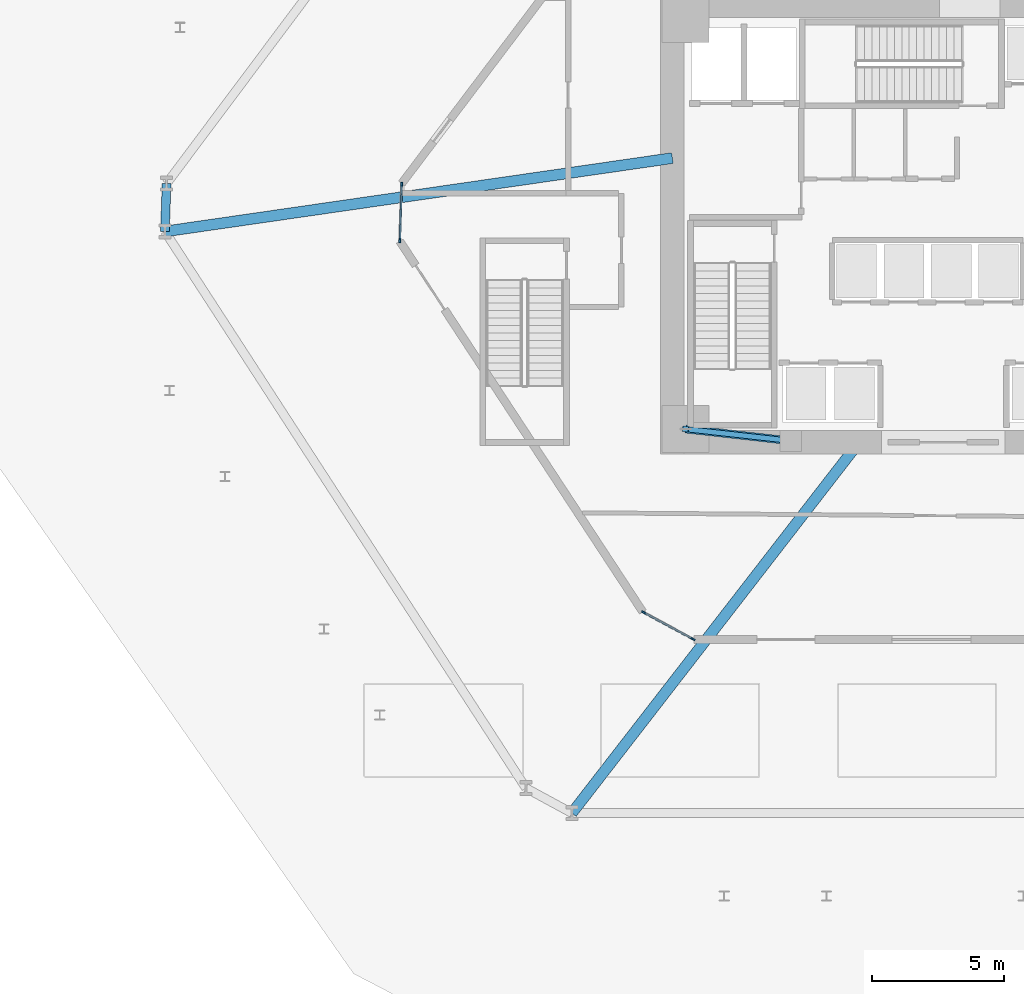
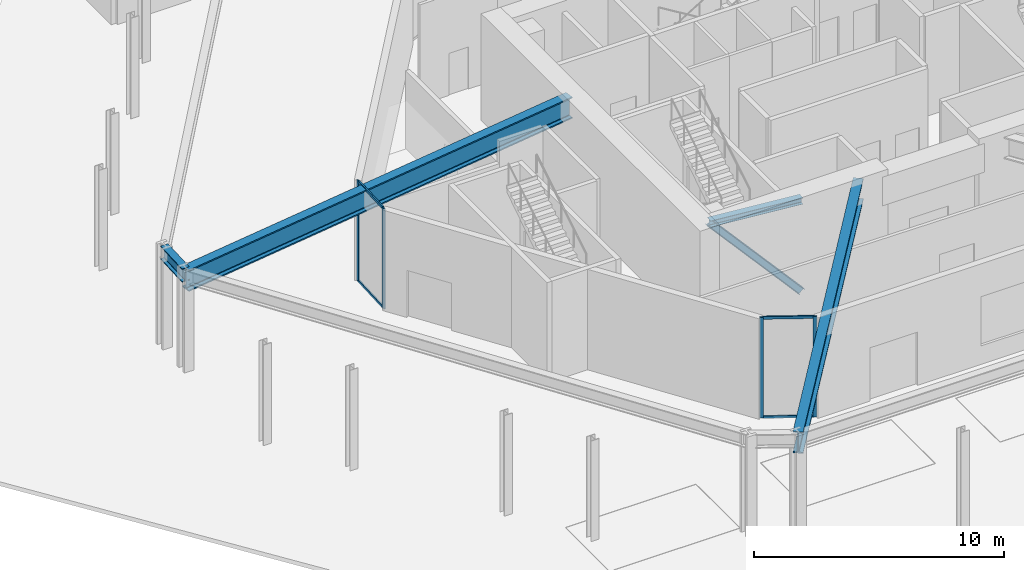
# One storey, part 6 of 18: 9 members, 4 beams, 2 elements without a shape of their own.
"""IFC4 building model written with IfcOpenShell, lengths in metres."""

from ifc_helpers import new_model, si_unit, direction, frame, origin, origin_2d, place, context, subcontext, project, spatial, rectangle, i_section, extrude, source, transform, mapped, material, layer, layer_set, material_profile, profile_set, type_object, type_shapes, element, aggregate, save


model = new_model("IFC4")

# Units and contexts
model_context = context("Model", 3, precision=1e-05, world=origin(), true_north=direction((0.0, 1.0)))
body_context = subcontext(model_context, "Body", "Model", "MODEL_VIEW")
ifc_project = project(units=[si_unit("LENGTHUNIT", "METRE"), si_unit("AREAUNIT", "SQUARE_METRE"), si_unit("VOLUMEUNIT", "CUBIC_METRE"), si_unit("PLANEANGLEUNIT", "RADIAN"), si_unit("MASSUNIT", "GRAM", prefix="KILO")], contexts=[model_context])

# Site, building, storey
site_placement = place(None, origin())
site = spatial("IfcSite", under=ifc_project, at=site_placement, CompositionType="ELEMENT")
building_placement = place(site_placement, origin())
building = spatial("IfcBuilding", under=site, at=building_placement, Name="Durnholm Broadcast Tower", CompositionType="ELEMENT")
storey_placement = place(building_placement, origin())
storey = spatial("IfcBuildingStorey", under=building, at=storey_placement, Name="L00", CompositionType="ELEMENT", Elevation=0.0)

# Beams
ifc_material_1 = material(Name="Steel ASTM A992 Grade 50", Category="steel")
ifc_material_profile_1 = material_profile(ifc_material_1, i_section(OverallWidth=0.3330078125, OverallDepth=0.660888671875, WebThickness=0.0244140625, FlangeThickness=0.0439453125, FilletRadius=0.02783203125, at=origin_2d()), Name="W24X229")
ifc_profile_set_1 = profile_set([ifc_material_profile_1], Name="Steel ASTM A992 Grade 50")
beam_type_1 = type_object("IfcBeamType", Name="STL-SP-W24X229", PredefinedType="SPANDREL", material=ifc_profile_set_1)
shared_shape_1 = source(origin(), body_context, "Body", "SweptSolid", [
    extrude(i_section(OverallWidth=0.3330078125, OverallDepth=0.660888671875, WebThickness=0.0244140625, FlangeThickness=0.0439453125, FilletRadius=0.02783203125, at=origin_2d()), origin(), (0.0, 0.0, 1.0), 1.820068359375),
])
type_shapes(beam_type_1, [shared_shape_1])
beam_1_placement = place(storey_placement, frame((-29.590576171875, -0.28857421875, 4.5546875), z_axis=(0.033667655889, 0.999433083776, 0.0), x_axis=(-0.999433083776, 0.033667655889, 0.0)))
element("IfcBeam", 1, at=beam_1_placement, inside=storey, type_object=beam_type_1, Name="L00 perimeter spandrel girder 02", PredefinedType="SPANDREL", context=body_context, shape_type="MappedRepresentation", body=[
    mapped(shared_shape_1, transform((0.0, 0.0, 0.0), x_axis=(1.0, 0.0, 0.0), y_axis=(0.0, 1.0, 0.0), z_axis=(0.0, 0.0, 1.0), scale=1.0)),
])
ifc_material_profile_2 = material_profile(ifc_material_1, i_section(OverallWidth=0.3046875, OverallDepth=0.307861328125, WebThickness=0.010009765625, FlangeThickness=0.015380859375, FilletRadius=0.019287109375, at=origin_2d()), Name="W12X65")
ifc_profile_set_2 = profile_set([ifc_material_profile_2], Name="Steel ASTM A992 Grade 50")
beam_type_2 = type_object("IfcBeamType", Name="STL-BL-W12X65", PredefinedType="LINTEL", material=ifc_profile_set_2)
shared_shape_2 = source(origin(), body_context, "Body", "SweptSolid", [
    extrude(i_section(OverallWidth=0.3046875, OverallDepth=0.307861328125, WebThickness=0.010009765625, FlangeThickness=0.015380859375, FilletRadius=0.019287109375, at=origin_2d()), origin(), (0.0, 0.0, 1.0), 4.025146484375),
])
type_shapes(beam_type_2, [shared_shape_2])
beam_2_placement = place(storey_placement, frame((-5.800048828125, -8.25, 4.731201171875), z_axis=(-0.993732663715, 0.111782794142, 0.0), x_axis=(-0.111782794142, -0.993732663715, 0.0)))
element("IfcBeam", 2, at=beam_2_placement, inside=storey, type_object=beam_type_2, Name="L00 west pilaster tie lintel", PredefinedType="LINTEL", context=body_context, shape_type="MappedRepresentation", body=[
    mapped(shared_shape_2, transform((0.0, 0.0, 0.0), x_axis=(1.0, 0.0, 0.0), y_axis=(0.0, 1.0, 0.0), z_axis=(0.0, 0.0, 1.0), scale=1.0)),
])
ifc_material_profile_3 = material_profile(ifc_material_1, i_section(OverallWidth=0.412109375, OverallDepth=1.048095703125, WebThickness=0.033935546875, FlangeThickness=0.059814453125, FilletRadius=0.04052734375, at=origin_2d()), Name="W40X431")
ifc_profile_set_3 = profile_set([ifc_material_profile_3], Name="Steel ASTM A992 Grade 50")
beam_type_3 = type_object("IfcBeamType", Name="STL-TG-W40X431", PredefinedType="USERDEFINED", material=ifc_profile_set_3)
shared_shape_3 = source(origin(), body_context, "Body", "SweptSolid", [
    extrude(i_section(OverallWidth=0.412109375, OverallDepth=1.048095703125, WebThickness=0.033935546875, FlangeThickness=0.059814453125, FilletRadius=0.04052734375, at=origin_2d()), origin(), (0.0, 0.0, 1.0), 19.490966796875),
])
beam_3_placement = place(storey_placement, frame((-10.300048828125, 2.5, 4.361083984375), z_axis=(-0.989712636446, -0.143069553921, 0.0), x_axis=(0.143069553921, -0.989712636446, 0.0)))
element("IfcBeam", 3, at=beam_3_placement, inside=storey, type_object=beam_type_3, Name="L00 radial primary floor girder 02", ObjectType="GIRDER", PredefinedType="USERDEFINED", context=body_context, shape_type="MappedRepresentation", body=[
    mapped(shared_shape_3, transform((0.0, 0.0, 0.0), x_axis=(1.0, 0.0, 0.0), y_axis=(0.0, 1.0, 0.0), z_axis=(0.0, 0.0, 1.0), scale=1.0)),
])
shared_shape_4 = source(origin(), body_context, "Body", "SweptSolid", [
    extrude(i_section(OverallWidth=0.412109375, OverallDepth=1.048095703125, WebThickness=0.033935546875, FlangeThickness=0.059814453125, FilletRadius=0.04052734375, at=origin_2d()), origin(), (0.0, 0.0, 1.0), 17.833740234375),
])
type_shapes(beam_type_3, [shared_shape_3, shared_shape_4])
beam_4_placement = place(storey_placement, frame((-3.199951171875, -8.300048828125, 4.361083984375), z_axis=(-0.612293019064, -0.790630924519, 0.0), x_axis=(0.790630924519, -0.612293019064, 0.0)))
element("IfcBeam", 4, at=beam_4_placement, inside=storey, type_object=beam_type_3, Name="L00 radial primary floor girder 12", ObjectType="GIRDER", PredefinedType="USERDEFINED", context=body_context, shape_type="MappedRepresentation", body=[
    mapped(shared_shape_4, transform((0.0, 0.0, 0.0), x_axis=(1.0, 0.0, 0.0), y_axis=(0.0, 1.0, 0.0), z_axis=(0.0, 0.0, 1.0), scale=1.0)),
])

# Member
ifc_material_profile_4 = material_profile(ifc_material_1, i_section(OverallWidth=0.205078125, OverallDepth=0.3095703125, WebThickness=0.009521484375, FlangeThickness=0.016357421875, FilletRadius=0.019287109375, at=origin_2d()), Name="W12X50")
ifc_profile_set_4 = profile_set([ifc_material_profile_4], Name="Steel ASTM A992 Grade 50")
member_type_1 = type_object("IfcMemberType", Name="STL-STG-W12X50", PredefinedType="STRINGER", material=ifc_profile_set_4)
shared_shape_5 = source(origin(), body_context, "Body", "SweptSolid", [
    extrude(i_section(OverallWidth=0.205078125, OverallDepth=0.3095703125, WebThickness=0.009521484375, FlangeThickness=0.016357421875, FilletRadius=0.019287109375, at=origin_2d()), origin(), (0.0, 0.0, 1.0), 6.023681640625),
])
type_shapes(member_type_1, [shared_shape_5])
member_1_placement = place(storey_placement, frame((-5.800048828125, -8.25, 0.25), z_axis=(-0.664055971414, 0.074698190632, 0.743942099323), x_axis=(-0.111782794142, -0.993732663715, 0.0)))
element("IfcMember", 5, at=member_1_placement, inside=storey, type_object=member_type_1, Name="L00 core gallery steel stringer brace", PredefinedType="STRINGER", context=body_context, shape_type="MappedRepresentation", body=[
    mapped(shared_shape_5, transform((0.0, 0.0, 0.0), x_axis=(1.0, 0.0, 0.0), y_axis=(0.0, 1.0, 0.0), z_axis=(0.0, 0.0, 1.0), scale=1.0)),
])

# Curtain wall, members
ifc_material_2 = material(Name="Aluminium and Solar Control IGU", Category="aluminium")
ifc_layer = layer(ifc_material_2, 0.1650390625)
ifc_layer_set = layer_set([ifc_layer], Name="Aluminium and Solar Control IGU")
curtain_wall_type = type_object("IfcCurtainWallType", Name="CW-SYS-5", PredefinedType="NOTDEFINED", material=ifc_layer_set)
curtain_wall_1_placement = place(storey_placement, origin())
curtain_wall_1 = element("IfcCurtainWall", 6, at=curtain_wall_1_placement, inside=storey, type_object=curtain_wall_type, Name="L00 curtain wall CW-CORNER CW-L00-CRN-01", PredefinedType="NOTDEFINED")
ifc_material_3 = material(Name="Aluminium 6063-T6", Category="aluminium")
ifc_material_profile_5 = material_profile(ifc_material_3, rectangle(XDim=0.06494140625, YDim=0.1650390625, at=origin_2d()), Name="CWM65X165")
ifc_profile_set_5 = profile_set([ifc_material_profile_5], Name="Aluminium 6063-T6")
member_type_2 = type_object("IfcMemberType", Name="CW-SYS-5-MUL", PredefinedType="MULLION", material=ifc_profile_set_5)
shared_shape_6 = source(origin(), body_context, "Body", "SweptSolid", [
    extrude(rectangle(XDim=0.06494140625, YDim=0.1650390625, at=origin_2d()), origin(), (0.0, 0.0, 1.0), 4.89990234375),
])
type_shapes(member_type_2, [shared_shape_6])
member_2_placement = place(storey_placement, frame((-20.6611328125, -0.62841796875, 0.0), z_axis=(0.0, 0.0, 1.0), x_axis=(-0.999440256039, 0.033454067148, 0.0)))
member_2 = element("IfcMember", 7, at=member_2_placement, type_object=member_type_2, Name="CW-CORNER mullion 1", PredefinedType="MULLION", context=body_context, shape_type="MappedRepresentation", body=[
    mapped(shared_shape_6, transform((0.0, 0.0, 0.0), x_axis=(1.0, 0.0, 0.0), y_axis=(0.0, 1.0, 0.0), z_axis=(0.0, 0.0, 1.0), scale=1.0)),
])
member_3_placement = place(storey_placement, frame((-20.589599609375, 1.50537109375, 0.0), z_axis=(0.0, 0.0, 1.0), x_axis=(-0.999440256039, 0.033454067148, 0.0)))
member_3 = element("IfcMember", 8, at=member_3_placement, type_object=member_type_2, Name="CW-CORNER mullion 2", PredefinedType="MULLION", context=body_context, shape_type="MappedRepresentation", body=[
    mapped(shared_shape_6, transform((0.0, 0.0, 0.0), x_axis=(1.0, 0.0, 0.0), y_axis=(0.0, 1.0, 0.0), z_axis=(0.0, 0.0, 1.0), scale=1.0)),
])

curtain_wall_2_placement = place(storey_placement, origin())
curtain_wall_2 = element("IfcCurtainWall", 9, at=curtain_wall_2_placement, inside=storey, type_object=curtain_wall_type, Name="L00 curtain wall CW-CORNER CW-L00-CRN-11", PredefinedType="NOTDEFINED")
member_4_placement = place(storey_placement, frame((-9.514892578125, -15.78466796875, 0.0), z_axis=(0.0, 0.0, 1.0), x_axis=(-0.475227040022, -0.879863205522, 0.0)))
member_4 = element("IfcMember", 10, at=member_4_placement, type_object=member_type_2, Name="CW-CORNER mullion 1", PredefinedType="MULLION", context=body_context, shape_type="MappedRepresentation", body=[
    mapped(shared_shape_6, transform((0.0, 0.0, 0.0), x_axis=(1.0, 0.0, 0.0), y_axis=(0.0, 1.0, 0.0), z_axis=(0.0, 0.0, 1.0), scale=1.0)),
])
member_5_placement = place(storey_placement, frame((-11.393310546875, -14.77001953125, 0.0), z_axis=(0.0, 0.0, 1.0), x_axis=(-0.475227040022, -0.879863205522, 0.0)))
member_5 = element("IfcMember", 11, at=member_5_placement, type_object=member_type_2, Name="CW-CORNER mullion 2", PredefinedType="MULLION", context=body_context, shape_type="MappedRepresentation", body=[
    mapped(shared_shape_6, transform((0.0, 0.0, 0.0), x_axis=(1.0, 0.0, 0.0), y_axis=(0.0, 1.0, 0.0), z_axis=(0.0, 0.0, 1.0), scale=1.0)),
])

# Member
ifc_material_profile_6 = material_profile(ifc_material_3, rectangle(XDim=0.06494140625, YDim=0.1298828125, at=origin_2d()), Name="CWT65X130")
ifc_profile_set_6 = profile_set([ifc_material_profile_6], Name="Aluminium 6063-T6")
member_type_3 = type_object("IfcMemberType", Name="CW-SYS-5-TRN", PredefinedType="USERDEFINED", material=ifc_profile_set_6)
shared_shape_7 = source(origin(), body_context, "Body", "SweptSolid", [
    extrude(rectangle(XDim=0.06494140625, YDim=0.1298828125, at=origin_2d()), origin(), (0.0, 0.0, 1.0), 2.070068359375),
])
member_6_placement = place(storey_placement, frame((-20.659912109375, -0.595947265625, 0.032470703125), z_axis=(0.033377662898, 0.99944281058, 0.0), x_axis=(-0.99944281058, 0.033377662898, 0.0)))
member_6 = element("IfcMember", 12, at=member_6_placement, type_object=member_type_3, Name="CW-CORNER transom 1.1", ObjectType="TRANSOM", PredefinedType="USERDEFINED", context=body_context, shape_type="MappedRepresentation", body=[
    mapped(shared_shape_7, transform((0.0, 0.0, 0.0), x_axis=(1.0, 0.0, 0.0), y_axis=(0.0, 1.0, 0.0), z_axis=(0.0, 0.0, 1.0), scale=1.0)),
])

member_7_placement = place(storey_placement, frame((-20.659912109375, -0.595947265625, 4.867431640625), z_axis=(0.033377662898, 0.99944281058, 0.0), x_axis=(-0.99944281058, 0.033377662898, 0.0)))
member_7 = element("IfcMember", 13, at=member_7_placement, type_object=member_type_3, Name="CW-CORNER transom 1.2", ObjectType="TRANSOM", PredefinedType="USERDEFINED", context=body_context, shape_type="MappedRepresentation", body=[
    mapped(shared_shape_7, transform((0.0, 0.0, 0.0), x_axis=(1.0, 0.0, 0.0), y_axis=(0.0, 1.0, 0.0), z_axis=(0.0, 0.0, 1.0), scale=1.0)),
])

aggregate(curtain_wall_1, [member_2, member_3, member_6, member_7])

shared_shape_8 = source(origin(), body_context, "Body", "SweptSolid", [
    extrude(rectangle(XDim=0.06494140625, YDim=0.1298828125, at=origin_2d()), origin(), (0.0, 0.0, 1.0), 2.06982421875),
])
type_shapes(member_type_3, [shared_shape_7, shared_shape_8])
member_8_placement = place(storey_placement, frame((-9.54345703125, -15.76904296875, 0.032470703125), z_axis=(-0.879875809047, 0.475203704377, 0.0), x_axis=(-0.475203704377, -0.879875809047, 0.0)))
member_8 = element("IfcMember", 14, at=member_8_placement, type_object=member_type_3, Name="CW-CORNER transom 1.1", ObjectType="TRANSOM", PredefinedType="USERDEFINED", context=body_context, shape_type="MappedRepresentation", body=[
    mapped(shared_shape_8, transform((0.0, 0.0, 0.0), x_axis=(1.0, 0.0, 0.0), y_axis=(0.0, 1.0, 0.0), z_axis=(0.0, 0.0, 1.0), scale=1.0)),
])

member_9_placement = place(storey_placement, frame((-9.54345703125, -15.76904296875, 4.867431640625), z_axis=(-0.879875809047, 0.475203704377, 0.0), x_axis=(-0.475203704377, -0.879875809047, 0.0)))
member_9 = element("IfcMember", 15, at=member_9_placement, type_object=member_type_3, Name="CW-CORNER transom 1.2", ObjectType="TRANSOM", PredefinedType="USERDEFINED", context=body_context, shape_type="MappedRepresentation", body=[
    mapped(shared_shape_8, transform((0.0, 0.0, 0.0), x_axis=(1.0, 0.0, 0.0), y_axis=(0.0, 1.0, 0.0), z_axis=(0.0, 0.0, 1.0), scale=1.0)),
])

aggregate(curtain_wall_2, [member_4, member_5, member_8, member_9])

save(model, "model.ifc")
